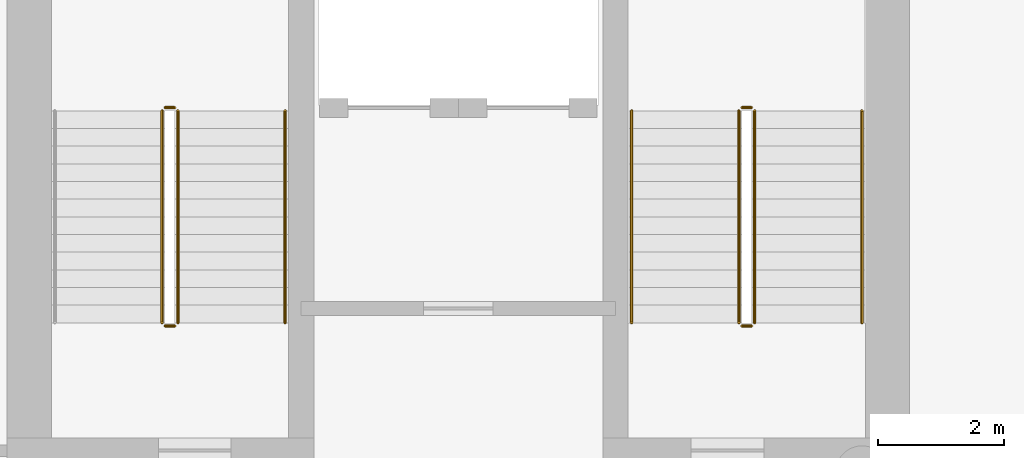
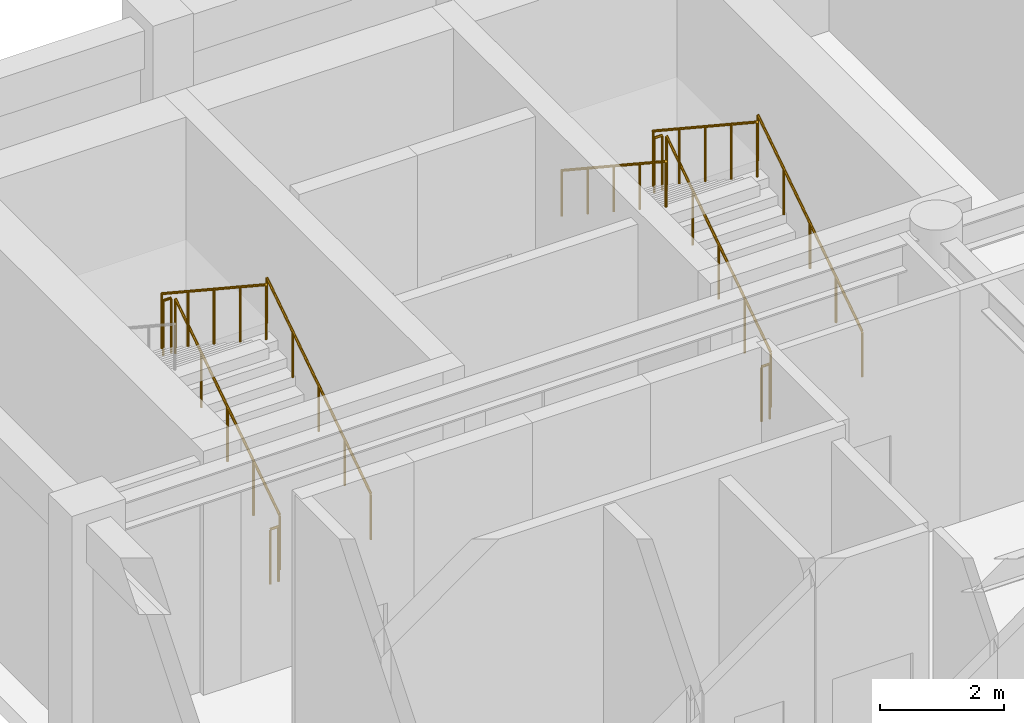
# One storey, part 9 of 10: 11 railings.
"""IFC4 building model written with IfcOpenShell, lengths in metres."""

from ifc_helpers import new_model, si_unit, direction, frame, origin, origin_2d, place, context, subcontext, project, spatial, circle, extrude, material, type_object, element, save


model = new_model("IFC4")

# Units and contexts
model_context = context("Model", 3, precision=1e-05, world=origin(), true_north=direction((0.0, 1.0)))
body_context = subcontext(model_context, "Body", "Model", "MODEL_VIEW")
ifc_project = project(units=[si_unit("LENGTHUNIT", "METRE"), si_unit("AREAUNIT", "SQUARE_METRE"), si_unit("VOLUMEUNIT", "CUBIC_METRE"), si_unit("PLANEANGLEUNIT", "RADIAN"), si_unit("MASSUNIT", "GRAM", prefix="KILO")], contexts=[model_context])

# Site, building, storey
site_placement = place(None, origin())
site = spatial("IfcSite", under=ifc_project, at=site_placement, CompositionType="ELEMENT")
building_placement = place(site_placement, origin())
building = spatial("IfcBuilding", under=site, at=building_placement, Name="Sulina Concourse Tower", CompositionType="ELEMENT")
storey_placement = place(building_placement, frame((0.0, 0.0, 243.800048828125)))
storey = spatial("IfcBuildingStorey", under=building, at=storey_placement, Name="L59", CompositionType="ELEMENT", Elevation=243.800048828125)

# Railings
ifc_material_1 = material(Name="Galvanised steel railing", Category="steel")
railing_type_1 = type_object("IfcRailingType", Name="Core Stair Steel Guardrail 1150mm", PredefinedType="GUARDRAIL", material=ifc_material_1)
railing_1_placement = place(storey_placement, frame((5.554931640625, 36.375, 0.1845703125)))
element("IfcRailing", 1, at=railing_1_placement, inside=storey, type_object=railing_type_1, Name="L59 ST-1 stair guard 1", PredefinedType="GUARDRAIL", context=body_context, shape_type="SweptSolid", body=[
    extrude(circle(Radius=0.02392578125, at=origin_2d()), frame((0.0, 0.0, 1.076171875), z_axis=(0.0, 0.834876476806, 0.550437342915), x_axis=(-1.0, 0.0, 0.0)), (0.0, 0.0, 1.0), 4.024658203125),
    extrude(circle(Radius=0.02099609375, at=origin_2d()), origin(), (0.0, 0.0, 1.0), 1.052001953125),
    extrude(circle(Radius=0.02099609375, at=origin_2d()), frame((0.0, 0.840087890625, 0.5537109375)), (0.0, 0.0, 1.0), 1.052001953125),
    extrude(circle(Radius=0.02099609375, at=origin_2d()), frame((0.0, 1.68017578125, 1.107666015625)), (0.0, 0.0, 1.0), 1.052001953125),
    extrude(circle(Radius=0.02099609375, at=origin_2d()), frame((0.0, 2.52001953125, 1.66162109375)), (0.0, 0.0, 1.0), 1.052001953125),
    extrude(circle(Radius=0.02099609375, at=origin_2d()), frame((0.0, 3.360107421875, 2.21533203125)), (0.0, 0.0, 1.0), 1.052001953125),
])
railing_2_placement = place(storey_placement, frame((5.5048828125, 39.784912109375, 2.39990234375)))
element("IfcRailing", 2, at=railing_2_placement, inside=storey, type_object=railing_type_1, Name="L59 ST-1 stair guard 2", PredefinedType="GUARDRAIL", context=body_context, shape_type="SweptSolid", body=[
    extrude(circle(Radius=0.02392578125, at=origin_2d()), frame((0.0, 0.0, 1.076171875), z_axis=(-1.0, 0.0, 0.0), x_axis=(0.0, -1.0, 0.0)), (0.0, 0.0, 1.0), 0.14990234375),
    extrude(circle(Radius=0.02099609375, at=origin_2d()), origin(), (0.0, 0.0, 1.0), 1.052001953125),
    extrude(circle(Radius=0.02099609375, at=origin_2d()), frame((-0.14990234375, 0.0, 0.0)), (0.0, 0.0, 1.0), 1.052001953125),
])
railing_3_placement = place(storey_placement, frame((5.304931640625, 39.735107421875, 2.58447265625)))
element("IfcRailing", 3, at=railing_3_placement, inside=storey, type_object=railing_type_1, Name="L59 ST-1 stair guard 3", PredefinedType="GUARDRAIL", context=body_context, shape_type="SweptSolid", body=[
    extrude(circle(Radius=0.02392578125, at=origin_2d()), frame((0.0, 0.0, 1.076171875), z_axis=(0.0, -0.834848600103, 0.550479622607), x_axis=(1.0, 0.0, 0.0)), (0.0, 0.0, 1.0), 4.02490234375),
    extrude(circle(Radius=0.02099609375, at=origin_2d()), origin(), (0.0, 0.0, 1.0), 1.052001953125),
    extrude(circle(Radius=0.02099609375, at=origin_2d()), frame((0.0, -0.840087890625, 0.553955078125)), (0.0, 0.0, 1.0), 1.052001953125),
    extrude(circle(Radius=0.02099609375, at=origin_2d()), frame((0.0, -1.68017578125, 1.10791015625)), (0.0, 0.0, 1.0), 1.052001953125),
    extrude(circle(Radius=0.02099609375, at=origin_2d()), frame((0.0, -2.52001953125, 1.66162109375)), (0.0, 0.0, 1.0), 1.052001953125),
    extrude(circle(Radius=0.02099609375, at=origin_2d()), frame((0.0, -3.360107421875, 2.215576171875)), (0.0, 0.0, 1.0), 1.052001953125),
])
railing_4_placement = place(storey_placement, frame((5.5048828125, 36.324951171875, 0.0)))
element("IfcRailing", 4, at=railing_4_placement, inside=storey, type_object=railing_type_1, Name="L59 ST-1 stair guard 4", PredefinedType="GUARDRAIL", context=body_context, shape_type="SweptSolid", body=[
    extrude(circle(Radius=0.02392578125, at=origin_2d()), frame((0.0, 0.0, 1.076171875), z_axis=(-1.0, 0.0, 0.0), x_axis=(0.0, -1.0, 0.0)), (0.0, 0.0, 1.0), 0.14990234375),
    extrude(circle(Radius=0.02099609375, at=origin_2d()), origin(), (0.0, 0.0, 1.0), 1.052001953125),
    extrude(circle(Radius=0.02099609375, at=origin_2d()), frame((-0.14990234375, 0.0, 0.0)), (0.0, 0.0, 1.0), 1.052001953125),
])
railing_5_placement = place(storey_placement, frame((14.695068359375, 36.375, 0.1845703125)))
element("IfcRailing", 5, at=railing_5_placement, inside=storey, type_object=railing_type_1, Name="L59 ST-2 stair guard 1", PredefinedType="GUARDRAIL", context=body_context, shape_type="SweptSolid", body=[
    extrude(circle(Radius=0.02392578125, at=origin_2d()), frame((0.0, 0.0, 1.076171875), z_axis=(0.0, 0.834876476806, 0.550437342915), x_axis=(-1.0, 0.0, 0.0)), (0.0, 0.0, 1.0), 4.024658203125),
    extrude(circle(Radius=0.02099609375, at=origin_2d()), origin(), (0.0, 0.0, 1.0), 1.052001953125),
    extrude(circle(Radius=0.02099609375, at=origin_2d()), frame((0.0, 0.840087890625, 0.5537109375)), (0.0, 0.0, 1.0), 1.052001953125),
    extrude(circle(Radius=0.02099609375, at=origin_2d()), frame((0.0, 1.68017578125, 1.107666015625)), (0.0, 0.0, 1.0), 1.052001953125),
    extrude(circle(Radius=0.02099609375, at=origin_2d()), frame((0.0, 2.52001953125, 1.66162109375)), (0.0, 0.0, 1.0), 1.052001953125),
    extrude(circle(Radius=0.02099609375, at=origin_2d()), frame((0.0, 3.360107421875, 2.21533203125)), (0.0, 0.0, 1.0), 1.052001953125),
])
railing_6_placement = place(storey_placement, frame((14.64501953125, 39.784912109375, 2.39990234375)))
element("IfcRailing", 6, at=railing_6_placement, inside=storey, type_object=railing_type_1, Name="L59 ST-2 stair guard 2", PredefinedType="GUARDRAIL", context=body_context, shape_type="SweptSolid", body=[
    extrude(circle(Radius=0.02392578125, at=origin_2d()), frame((0.0, 0.0, 1.076171875), z_axis=(-1.0, 0.0, 0.0), x_axis=(0.0, -1.0, 0.0)), (0.0, 0.0, 1.0), 0.14990234375),
    extrude(circle(Radius=0.02099609375, at=origin_2d()), origin(), (0.0, 0.0, 1.0), 1.052001953125),
    extrude(circle(Radius=0.02099609375, at=origin_2d()), frame((-0.14990234375, 0.0, 0.0)), (0.0, 0.0, 1.0), 1.052001953125),
])
railing_7_placement = place(storey_placement, frame((14.445068359375, 39.735107421875, 2.58447265625)))
element("IfcRailing", 7, at=railing_7_placement, inside=storey, type_object=railing_type_1, Name="L59 ST-2 stair guard 3", PredefinedType="GUARDRAIL", context=body_context, shape_type="SweptSolid", body=[
    extrude(circle(Radius=0.02392578125, at=origin_2d()), frame((0.0, 0.0, 1.076171875), z_axis=(0.0, -0.834848600103, 0.550479622607), x_axis=(1.0, 0.0, 0.0)), (0.0, 0.0, 1.0), 4.02490234375),
    extrude(circle(Radius=0.02099609375, at=origin_2d()), origin(), (0.0, 0.0, 1.0), 1.052001953125),
    extrude(circle(Radius=0.02099609375, at=origin_2d()), frame((0.0, -0.840087890625, 0.553955078125)), (0.0, 0.0, 1.0), 1.052001953125),
    extrude(circle(Radius=0.02099609375, at=origin_2d()), frame((0.0, -1.68017578125, 1.10791015625)), (0.0, 0.0, 1.0), 1.052001953125),
    extrude(circle(Radius=0.02099609375, at=origin_2d()), frame((0.0, -2.52001953125, 1.66162109375)), (0.0, 0.0, 1.0), 1.052001953125),
    extrude(circle(Radius=0.02099609375, at=origin_2d()), frame((0.0, -3.360107421875, 2.215576171875)), (0.0, 0.0, 1.0), 1.052001953125),
])
railing_8_placement = place(storey_placement, frame((14.64501953125, 36.324951171875, 0.0)))
element("IfcRailing", 8, at=railing_8_placement, inside=storey, type_object=railing_type_1, Name="L59 ST-2 stair guard 4", PredefinedType="GUARDRAIL", context=body_context, shape_type="SweptSolid", body=[
    extrude(circle(Radius=0.02392578125, at=origin_2d()), frame((0.0, 0.0, 1.076171875), z_axis=(-1.0, 0.0, 0.0), x_axis=(0.0, -1.0, 0.0)), (0.0, 0.0, 1.0), 0.14990234375),
    extrude(circle(Radius=0.02099609375, at=origin_2d()), origin(), (0.0, 0.0, 1.0), 1.052001953125),
    extrude(circle(Radius=0.02099609375, at=origin_2d()), frame((-0.14990234375, 0.0, 0.0)), (0.0, 0.0, 1.0), 1.052001953125),
])
ifc_material_2 = material(Name="Galvanised steel railing", Category="steel")
railing_type_2 = type_object("IfcRailingType", Name="Stair Wall Steel Handrail 920mm", PredefinedType="HANDRAIL", material=ifc_material_2)
for number, where, name in (
    (9, (7.2548828125, 36.375, 0.1845703125), "L59 ST-1 stair handrail 1"),
    (10, (16.39501953125, 36.375, 0.1845703125), "L59 ST-2 stair handrail 1"),
):
    element("IfcRailing", number, at=place(storey_placement, frame(where)), inside=storey, type_object=railing_type_2, Name=name, PredefinedType="HANDRAIL", context=body_context, shape_type="SweptSolid", body=[
        extrude(circle(Radius=0.02392578125, at=origin_2d()), frame((0.0, 0.0, 0.89599609375), z_axis=(0.0, 0.834876476806, 0.550437342915), x_axis=(-1.0, 0.0, 0.0)), (0.0, 0.0, 1.0), 4.024658203125),
        extrude(circle(Radius=0.02099609375, at=origin_2d()), origin(), (0.0, 0.0, 1.0), 0.871826171875),
        extrude(circle(Radius=0.02099609375, at=origin_2d()), frame((0.0, 0.840087890625, 0.5537109375)), (0.0, 0.0, 1.0), 0.871826171875),
        extrude(circle(Radius=0.02099609375, at=origin_2d()), frame((0.0, 1.68017578125, 1.107666015625)), (0.0, 0.0, 1.0), 0.871826171875),
        extrude(circle(Radius=0.02099609375, at=origin_2d()), frame((0.0, 2.52001953125, 1.66162109375)), (0.0, 0.0, 1.0), 0.871826171875),
        extrude(circle(Radius=0.02099609375, at=origin_2d()), frame((0.0, 3.360107421875, 2.21533203125)), (0.0, 0.0, 1.0), 0.871826171875),
    ])
railing_9_placement = place(storey_placement, frame((12.7451171875, 39.735107421875, 2.58447265625)))
element("IfcRailing", 11, at=railing_9_placement, inside=storey, type_object=railing_type_2, Name="L59 ST-2 stair handrail 2", PredefinedType="HANDRAIL", context=body_context, shape_type="SweptSolid", body=[
    extrude(circle(Radius=0.02392578125, at=origin_2d()), frame((0.0, 0.0, 0.89599609375), z_axis=(0.0, -0.834848600103, 0.550479622607), x_axis=(1.0, 0.0, 0.0)), (0.0, 0.0, 1.0), 4.02490234375),
    extrude(circle(Radius=0.02099609375, at=origin_2d()), origin(), (0.0, 0.0, 1.0), 0.871826171875),
    extrude(circle(Radius=0.02099609375, at=origin_2d()), frame((0.0, -0.840087890625, 0.553955078125)), (0.0, 0.0, 1.0), 0.871826171875),
    extrude(circle(Radius=0.02099609375, at=origin_2d()), frame((0.0, -1.68017578125, 1.10791015625)), (0.0, 0.0, 1.0), 0.871826171875),
    extrude(circle(Radius=0.02099609375, at=origin_2d()), frame((0.0, -2.52001953125, 1.66162109375)), (0.0, 0.0, 1.0), 0.871826171875),
    extrude(circle(Radius=0.02099609375, at=origin_2d()), frame((0.0, -3.360107421875, 2.215576171875)), (0.0, 0.0, 1.0), 0.871826171875),
])

save(model, "model.ifc")
